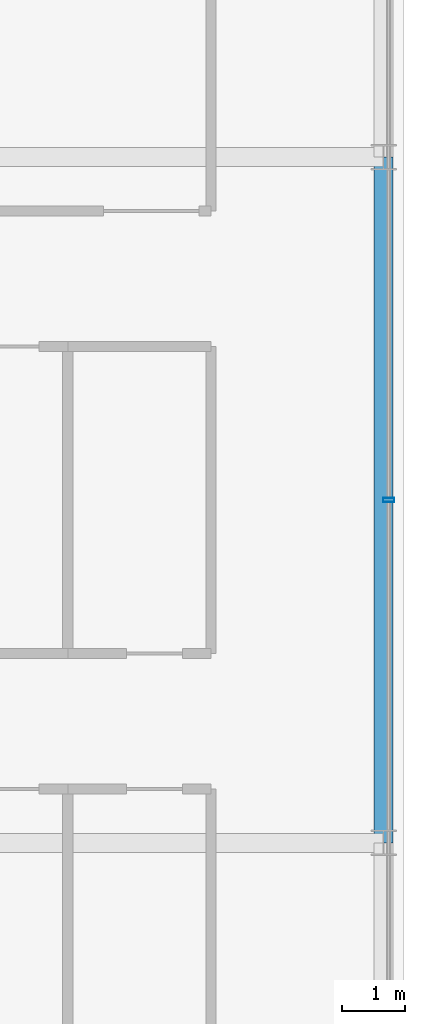
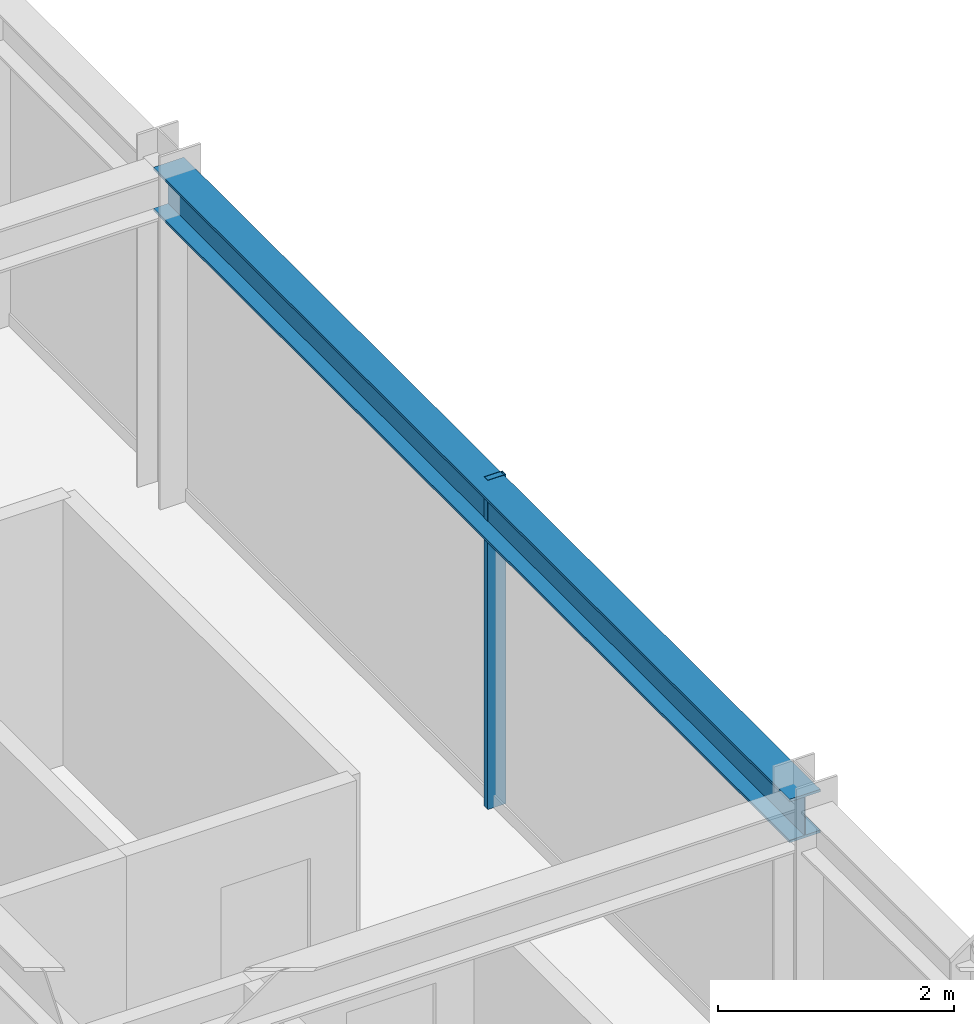
# One storey, part 17 of 35: 1 beam, 1 member, 1 element without a shape of its own.
"""IFC4 building model written with IfcOpenShell, lengths in metres."""

from ifc_helpers import new_model, si_unit, direction, frame, origin, origin_2d, place, context, subcontext, project, spatial, hollow_rectangle, i_section, extrude, source, transform, mapped, material, material_profile, profile_set, type_object, element, aggregate, save


model = new_model("IFC4")

# Units and contexts
model_context = context("Model", 3, precision=1e-05, world=origin(), true_north=direction((0.0, 1.0)))
body_context = subcontext(model_context, "Body", "Model", "MODEL_VIEW")
ifc_project = project(units=[si_unit("LENGTHUNIT", "METRE"), si_unit("AREAUNIT", "SQUARE_METRE"), si_unit("VOLUMEUNIT", "CUBIC_METRE"), si_unit("PLANEANGLEUNIT", "RADIAN"), si_unit("MASSUNIT", "GRAM", prefix="KILO")], contexts=[model_context])

# Site, building, storey
site_placement = place(None, origin())
site = spatial("IfcSite", under=ifc_project, at=site_placement, CompositionType="ELEMENT")
building_placement = place(site_placement, origin())
building = spatial("IfcBuilding", under=site, at=building_placement, Name="Nahalor Promenade Grand Hotel", CompositionType="ELEMENT")
storey_placement = place(building_placement, frame((0.0, 0.0, 216.0)))
storey = spatial("IfcBuildingStorey", under=building, at=storey_placement, Name="L55", CompositionType="ELEMENT", Elevation=216.0)

# Beam
ifc_material_1 = material(Name="Steel S355JR", Category="steel")
ifc_material_profile_1 = material_profile(ifc_material_1, i_section(OverallWidth=0.3, OverallDepth=0.45, WebThickness=0.014, FlangeThickness=0.026, at=origin_2d()), Name="HEB 450")
ifc_profile_set_1 = profile_set([ifc_material_profile_1], Name="Steel S355JR")
beam_type = type_object("IfcBeamType", Name="Beam-Spandrel-HEB450", PredefinedType="SPANDREL", material=ifc_profile_set_1)
shared_shape_1 = source(origin(), body_context, "Body", "SweptSolid", [
    extrude(i_section(OverallWidth=0.3, OverallDepth=0.45, WebThickness=0.014, FlangeThickness=0.026, at=origin_2d()), origin(), (0.0, 0.0, 1.0), 10.7998046875),
])
beam_placement = place(storey_placement, frame((23.8798828125, -5.39990234375, 3.18505859375), z_axis=(0.0, 1.0, 0.0), x_axis=(-1.0, 0.0, 0.0)))
element("IfcBeam", 1, at=beam_placement, inside=storey, type_object=beam_type, Name="BM-L55-SP-E-2", PredefinedType="SPANDREL", context=body_context, shape_type="MappedRepresentation", body=[
    mapped(shared_shape_1, transform((0.0, 0.0, 0.0), scale=1.0)),
])

# Curtain wall, member
ifc_material_2 = material(Name="Anodised Bronze Aluminium EN AW-6063 T6", Category="aluminium")
curtain_wall_type = type_object("IfcCurtainWallType", Name="CW2 Typical Hotel Flush Bronze Unitised Curtain Wall", PredefinedType="USERDEFINED", material=ifc_material_2)
curtain_wall_placement = place(storey_placement, origin())
curtain_wall = element("IfcCurtainWall", 2, at=curtain_wall_placement, inside=storey, type_object=curtain_wall_type, Name="L55 Curtain Wall CW-L55-E-1", ObjectType="UNITISED_CURTAIN_WALL", PredefinedType="USERDEFINED")
ifc_material_profile_2 = material_profile(ifc_material_2, hollow_rectangle(XDim=0.065, YDim=0.18, WallThickness=0.004, at=origin_2d()), Name="CWM 65x180x4")
ifc_profile_set_2 = profile_set([ifc_material_profile_2], Name="Anodised Bronze Aluminium EN AW-6063 T6")
member_type = type_object("IfcMemberType", Name="CWM2 Typical Bronze Mullion 65x180", PredefinedType="MULLION", material=ifc_profile_set_2)
shared_shape_2 = source(origin(), body_context, "Body", "SweptSolid", [
    extrude(hollow_rectangle(XDim=0.065, YDim=0.18, WallThickness=0.004, at=origin_2d()), origin(), (0.0, 0.0, 1.0), 3.409912109375),
])
member_placement = place(storey_placement, frame((23.9599609375, 0.0, 0.0), z_axis=(0.0, 0.0, 1.0), x_axis=(0.0, 1.0, 0.0)))
member = element("IfcMember", 3, at=member_placement, type_object=member_type, Name="CW-L55-E-1 Mullion 2", PredefinedType="MULLION", context=body_context, shape_type="MappedRepresentation", body=[
    mapped(shared_shape_2, transform((0.0, 0.0, 0.0), scale=1.0)),
])
aggregate(curtain_wall, [member])

save(model, "model.ifc")
